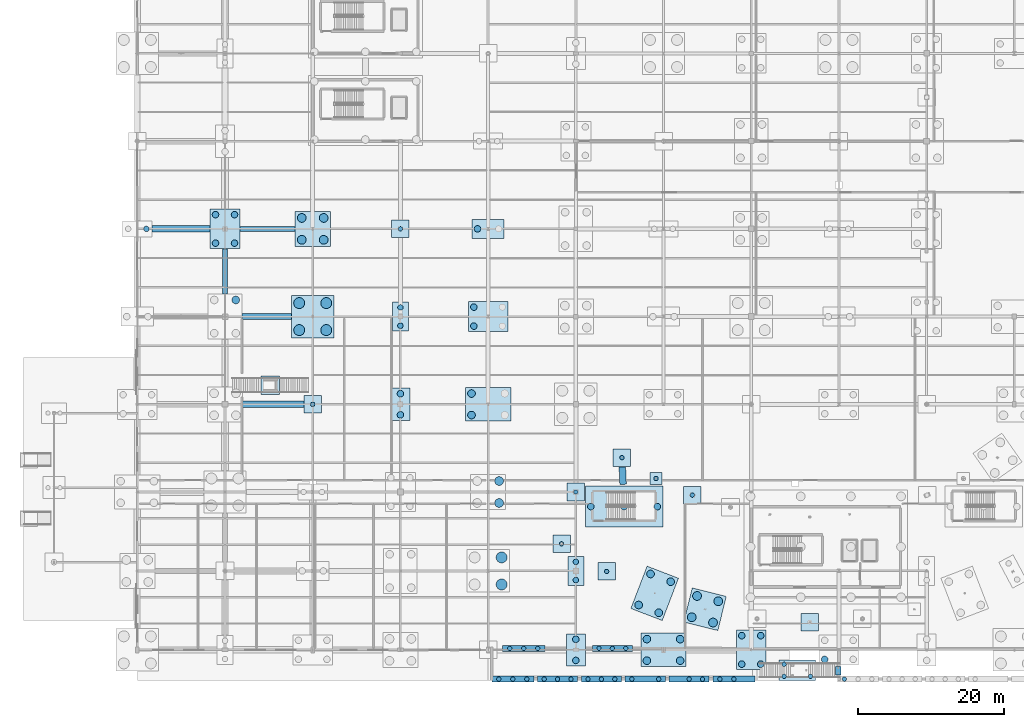
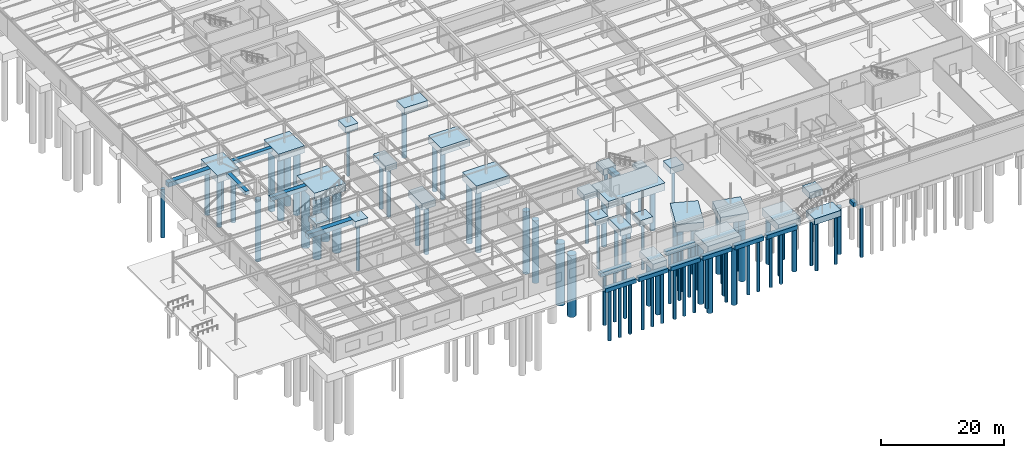
# One storey, part 2 of 136: 84 piles, 41 footings.
"""IFC4 building model written with IfcOpenShell, lengths in metres."""

from ifc_helpers import new_model, si_unit, direction, frame, origin, origin_2d, place, context, subcontext, project, spatial, rectangle, circle, extrude, material, material_profile, profile_set, type_object, element, save


model = new_model("IFC4")

# Units and contexts
model_context = context("Model", 3, precision=1e-05, world=origin(), true_north=direction((0.0, 1.0)))
body_context = subcontext(model_context, "Body", "Model", "MODEL_VIEW")
ifc_project = project(units=[si_unit("LENGTHUNIT", "METRE"), si_unit("AREAUNIT", "SQUARE_METRE"), si_unit("VOLUMEUNIT", "CUBIC_METRE"), si_unit("PLANEANGLEUNIT", "RADIAN"), si_unit("MASSUNIT", "GRAM", prefix="KILO")], contexts=[model_context])

# Site, building, storey
site_placement = place(None, origin())
site = spatial("IfcSite", under=ifc_project, at=site_placement, CompositionType="ELEMENT")
building_placement = place(site_placement, origin())
building = spatial("IfcBuilding", under=site, at=building_placement, Name="Tarnwether General Hospital", CompositionType="ELEMENT")
storey_placement = place(building_placement, frame((0.0, 0.0, -4.800048828125)))
storey = spatial("IfcBuildingStorey", under=building, at=storey_placement, Name="LG", CompositionType="ELEMENT", Elevation=-4.800048828125)

# Footings
ifc_material_1 = material(Name="Concrete 40 MPa", Category="concrete")
footing_type_1 = type_object("IfcFootingType", Name="FT-GB1", PredefinedType="FOOTING_BEAM", material=ifc_material_1)
footing_1_placement = place(storey_placement, frame((17.699951171875, 45.60009765625, -0.7998046875), z_axis=(0.0, 0.0, 1.0), x_axis=(1.0, 0.0, 0.0)))
element("IfcFooting", 1, at=footing_1_placement, inside=storey, type_object=footing_type_1, Name="Ground Footing Beam FT-GB-0034", PredefinedType="FOOTING_BEAM", context=body_context, shape_type="SweptSolid", body=[
    extrude(rectangle(XDim=6.760009765625, YDim=0.800048828125, at=origin_2d()), origin(), (0.0, 0.0, 1.0), 0.800048828125),
])
ifc_material_2 = material(Name="Concrete 40 MPa", Category="concrete")
footing_type_2 = type_object("IfcFootingType", Name="FT-GB2", PredefinedType="FOOTING_BEAM", material=ifc_material_2)
footing_2_placement = place(storey_placement, frame((66.4130859375, 23.840087890625, -0.89990234375), z_axis=(0.0, 0.0, 1.0), x_axis=(-0.044125045501, 0.999026015857, 0.0)))
element("IfcFooting", 2, at=footing_2_placement, inside=storey, type_object=footing_type_2, Name="Ground Footing Beam FT-GB-0002", PredefinedType="FOOTING_BEAM", context=body_context, shape_type="SweptSolid", body=[
    extrude(rectangle(XDim=2.385986328125, YDim=0.89990234375, at=origin_2d()), origin(), (0.0, 0.0, 1.0), 0.89990234375),
])
footing_3_placement = place(storey_placement, frame((5.97509765625, 57.60009765625, -0.89990234375), z_axis=(0.0, 0.0, 1.0), x_axis=(1.0, 0.0, 0.0)))
element("IfcFooting", 3, at=footing_3_placement, inside=storey, type_object=footing_type_2, Name="Ground Footing Beam FT-GB-0014", PredefinedType="FOOTING_BEAM", context=body_context, shape_type="SweptSolid", body=[
    extrude(rectangle(XDim=7.909912109375, YDim=0.89990234375, at=origin_2d()), origin(), (0.0, 0.0, 1.0), 0.89990234375),
])
footing_4_placement = place(storey_placement, frame((18.60009765625, 33.60009765625, -0.89990234375), z_axis=(0.0, 0.0, 1.0), x_axis=(1.0, 0.0, 0.0)))
element("IfcFooting", 4, at=footing_4_placement, inside=storey, type_object=footing_type_2, Name="Ground Footing Beam FT-GB-0032", PredefinedType="FOOTING_BEAM", context=body_context, shape_type="SweptSolid", body=[
    extrude(rectangle(XDim=8.360107421875, YDim=0.89990234375, at=origin_2d()), origin(), (0.0, 0.0, 1.0), 0.89990234375),
])
ifc_material_3 = material(Name="Concrete 40 MPa", Category="concrete")
footing_type_3 = type_object("IfcFootingType", Name="FT-GB3", PredefinedType="FOOTING_BEAM", material=ifc_material_3)
footing_5_placement = place(storey_placement, frame((12.0, 51.800048828125, -0.69970703125), z_axis=(0.0, 0.0, 1.0), x_axis=(0.0, 1.0, 0.0)))
element("IfcFooting", 5, at=footing_5_placement, inside=storey, type_object=footing_type_3, Name="Ground Footing Beam FT-GB-0033", PredefinedType="FOOTING_BEAM", context=body_context, shape_type="SweptSolid", body=[
    extrude(rectangle(XDim=6.159912109375, YDim=0.699951171875, at=origin_2d()), origin(), (0.0, 0.0, 1.0), 0.699951171875),
])
footing_6_placement = place(storey_placement, frame((17.824951171875, 57.60009765625, -0.69970703125), z_axis=(0.0, 0.0, 1.0), x_axis=(1.0, 0.0, 0.0)))
element("IfcFooting", 6, at=footing_6_placement, inside=storey, type_object=footing_type_3, Name="Ground Footing Beam FT-GB-0036", PredefinedType="FOOTING_BEAM", context=body_context, shape_type="SweptSolid", body=[
    extrude(rectangle(XDim=7.510009765625, YDim=0.699951171875, at=origin_2d()), origin(), (0.0, 0.0, 1.0), 0.699951171875),
])
ifc_material_4 = material(Name="Concrete 40 MPa", Category="concrete")
footing_type_4 = type_object("IfcFootingType", Name="FT-PC1", PredefinedType="PILE_CAP", material=ifc_material_4)
for number, where, z_axis, x_axis, name in (
    (7, (24.0, 33.60009765625, -1.19970703125), (0.0, 0.0, 1.0), (1.0, 0.0, 0.0), "Pile Cap FT-CAP-0038"),
    (8, (36.0, 57.60009765625, -1.19970703125), (0.0, 0.0, 1.0), (0.0, 1.0, 0.0), "Pile Cap FT-CAP-0050"),
    (9, (60.0, 21.60009765625, -1.19970703125), (0.0, 0.0, 1.0), (0.0, 1.0, 0.0), "Pile Cap FT-CAP-0069"),
    (10, (58.0439453125, 14.506103515625, -1.19970703125), (0.0, 0.0, 1.0), (1.0, 0.0, 0.0), "Pile Cap FT-CAP-0208"),
    (11, (66.303955078125, 26.302001953125, -1.19970703125), (0.0, 0.0, 1.0), (1.0, 0.0, 0.0), "Pile Cap FT-CAP-0209"),
    (12, (64.20703125, 10.72998046875, -1.19970703125), (0.0, 0.0, 1.0), (1.0, 0.0, 0.0), "Pile Cap FT-CAP-0210"),
    (13, (75.945068359375, 21.176025390625, -1.19970703125), (0.0, 0.0, 1.0), (1.0, 0.0, 0.0), "Pile Cap FT-CAP-0214"),
    (14, (92.0, 3.800048828125, -1.19970703125), (0.0, 0.0, 1.0), (1.0, 0.0, 0.0), "Pile Cap FT-CAP-0218"),
):
    element("IfcFooting", number, at=place(storey_placement, frame(where, z_axis=z_axis, x_axis=x_axis)), inside=storey, type_object=footing_type_4, Name=name, PredefinedType="PILE_CAP", context=body_context, shape_type="SweptSolid", body=[
        extrude(rectangle(XDim=2.39990234375, YDim=2.39990234375, at=origin_2d()), origin(), (0.0, 0.0, 1.0), 1.199951171875),
    ])
ifc_material_5 = material(Name="Concrete 40 MPa", Category="concrete")
footing_type_5 = type_object("IfcFootingType", Name="FT-PC11", PredefinedType="PILE_CAP", material=ifc_material_5)
footing_7_placement = place(storey_placement, frame((90.300048828125, -2.800048828125, -1.19970703125), z_axis=(0.0, 0.0, 1.0), x_axis=(1.0, 0.0, 0.0)))
element("IfcFooting", 15, at=footing_7_placement, inside=storey, type_object=footing_type_5, Name="Combined Scarp Stair Pile Cap SCRP-S", PredefinedType="PILE_CAP", context=body_context, shape_type="SweptSolid", body=[
    extrude(rectangle(XDim=5.0, YDim=2.800048828125, at=origin_2d()), origin(), (0.0, 0.0, 1.0), 1.199951171875),
])
ifc_material_6 = material(Name="Concrete 40 MPa", Category="concrete")
footing_type_6 = type_object("IfcFootingType", Name="FT-PC2", PredefinedType="PILE_CAP", material=ifc_material_6)
for number, where, z_axis, x_axis, name in (
    (16, (36.0, 45.60009765625, -1.19970703125), (0.0, 0.0, 1.0), (0.0, 1.0, 0.0), "Pile Cap FT-CAP-0049"),
    (17, (60.0, 10.800048828125, -1.19970703125), (0.0, 0.0, 1.0), (0.0, 1.0, 0.0), "Pile Cap FT-CAP-0068"),
):
    element("IfcFooting", number, at=place(storey_placement, frame(where, z_axis=z_axis, x_axis=x_axis)), inside=storey, type_object=footing_type_6, Name=name, PredefinedType="PILE_CAP", context=body_context, shape_type="SweptSolid", body=[
        extrude(rectangle(XDim=4.0, YDim=2.199951171875, at=origin_2d()), origin(), (0.0, 0.0, 1.0), 1.199951171875),
    ])
ifc_material_7 = material(Name="Concrete 40 MPa", Category="concrete")
footing_type_7 = type_object("IfcFootingType", Name="FT-PC3", PredefinedType="PILE_CAP", material=ifc_material_7)
for number, where, z_axis, x_axis, name in (
    (18, (36.0, 33.60009765625, -1.2998046875), (0.0, 0.0, 1.0), (0.0, 1.0, 0.0), "Pile Cap FT-CAP-0048"),
    (19, (48.0, 57.60009765625, -1.2998046875), (0.0, 0.0, 1.0), (1.0, 0.0, 0.0), "Pile Cap FT-CAP-0060"),
    (20, (60.0, 0.0, -1.2998046875), (0.0, 0.0, 1.0), (0.0, 1.0, 0.0), "Pile Cap FT-CAP-0067"),
):
    element("IfcFooting", number, at=place(storey_placement, frame(where, z_axis=z_axis, x_axis=x_axis)), inside=storey, type_object=footing_type_7, Name=name, PredefinedType="PILE_CAP", context=body_context, shape_type="SweptSolid", body=[
        extrude(rectangle(XDim=4.39990234375, YDim=2.60009765625, at=origin_2d()), origin(), (0.0, 0.0, 1.0), 1.300048828125),
    ])
ifc_material_8 = material(Name="Concrete 40 MPa", Category="concrete")
footing_type_8 = type_object("IfcFootingType", Name="FT-PC4", PredefinedType="PILE_CAP", material=ifc_material_8)
for number, where, z_axis, x_axis, name in (
    (21, (24.0, 57.60009765625, -1.39990234375), (0.0, 0.0, 1.0), (1.0, 0.0, 0.0), "Pile Cap FT-CAP-0040"),
    (22, (77.677978515625, 5.55810546875, -1.39990234375), (0.0, 0.0, 1.0), (0.2419218956, 0.970295726276, 0.0), "Pile Cap FT-CAP-0215"),
):
    element("IfcFooting", number, at=place(storey_placement, frame(where, z_axis=z_axis, x_axis=x_axis)), inside=storey, type_object=footing_type_8, Name=name, PredefinedType="PILE_CAP", context=body_context, shape_type="SweptSolid", body=[
        extrude(rectangle(XDim=4.800048828125, YDim=4.800048828125, at=origin_2d()), origin(), (0.0, 0.0, 1.0), 1.39990234375),
    ])
ifc_material_9 = material(Name="Concrete 40 MPa", Category="concrete")
footing_type_9 = type_object("IfcFootingType", Name="FT-PC5", PredefinedType="PILE_CAP", material=ifc_material_9)
footing_8_placement = place(storey_placement, frame((24.0, 45.60009765625, -1.5), z_axis=(0.0, 0.0, 1.0), x_axis=(1.0, 0.0, 0.0)))
element("IfcFooting", 23, at=footing_8_placement, inside=storey, type_object=footing_type_9, Name="Pile Cap FT-CAP-0039", PredefinedType="PILE_CAP", context=body_context, shape_type="SweptSolid", body=[
    extrude(rectangle(XDim=5.800048828125, YDim=5.800048828125, at=origin_2d()), origin(), (0.0, 0.0, 1.0), 1.5),
])
ifc_material_10 = material(Name="Concrete 40 MPa", Category="concrete")
footing_type_10 = type_object("IfcFootingType", Name="FT-PC6", PredefinedType="PILE_CAP", material=ifc_material_10)
for number, where, z_axis, x_axis, name in (
    (24, (12.0, 57.60009765625, -1.44970703125), (0.0, 0.0, 1.0), (0.0, 1.0, 0.0), "Pile Cap FT-CAP-0028"),
    (25, (48.0, 45.60009765625, -1.44970703125), (0.0, 0.0, 1.0), (1.0, 0.0, 0.0), "Pile Cap FT-CAP-0059"),
    (26, (84.0, 0.0, -1.44970703125), (0.0, 0.0, 1.0), (0.0, 1.0, 0.0), "Pile Cap FT-CAP-0087"),
):
    element("IfcFooting", number, at=place(storey_placement, frame(where, z_axis=z_axis, x_axis=x_axis)), inside=storey, type_object=footing_type_10, Name=name, PredefinedType="PILE_CAP", context=body_context, shape_type="SweptSolid", body=[
        extrude(rectangle(XDim=5.39990234375, YDim=4.10009765625, at=origin_2d()), origin(), (0.0, 0.0, 1.0), 1.449951171875),
    ])
ifc_material_11 = material(Name="Concrete 40 MPa", Category="concrete")
footing_type_11 = type_object("IfcFootingType", Name="FT-PC7", PredefinedType="PILE_CAP", material=ifc_material_11)
for number, where, z_axis, x_axis, name in (
    (27, (48.0, 33.60009765625, -1.5498046875), (0.0, 0.0, 1.0), (1.0, 0.0, 0.0), "Pile Cap FT-CAP-0058"),
    (28, (72.0, 0.0, -1.5498046875), (0.0, 0.0, 1.0), (1.0, 0.0, 0.0), "Pile Cap FT-CAP-0079"),
    (29, (70.784912109375, 7.73193359375, -1.5498046875), (0.0, 0.0, 1.0), (0.358367949545, 0.933580426497, 0.0), "Pile Cap FT-CAP-0212"),
):
    element("IfcFooting", number, at=place(storey_placement, frame(where, z_axis=z_axis, x_axis=x_axis)), inside=storey, type_object=footing_type_11, Name=name, PredefinedType="PILE_CAP", context=body_context, shape_type="SweptSolid", body=[
        extrude(rectangle(XDim=6.199951171875, YDim=4.60009765625, at=origin_2d()), origin(), (0.0, 0.0, 1.0), 1.550048828125),
    ])
ifc_material_12 = material(Name="Concrete 40 MPa", Category="concrete")
footing_type_12 = type_object("IfcFootingType", Name="FT-PC8", PredefinedType="PILE_CAP", material=ifc_material_12)
footing_9_placement = place(storey_placement, frame((66.60009765625, 19.60009765625, -1.44970703125), z_axis=(0.0, 0.0, 1.0), x_axis=(1.0, 0.0, 0.0)))
element("IfcFooting", 30, at=footing_9_placement, inside=storey, type_object=footing_type_12, Name="Pile Cap FT-CAP-0009", PredefinedType="PILE_CAP", context=body_context, shape_type="SweptSolid", body=[
    extrude(rectangle(XDim=10.60009765625, YDim=5.60009765625, at=origin_2d()), origin(), (0.0, 0.0, 1.0), 1.449951171875),
])
ifc_material_13 = material(Name="Concrete 40 MPa", Category="concrete")
footing_type_13 = type_object("IfcFootingType", Name="FT-PF2", PredefinedType="PAD_FOOTING", material=ifc_material_13)
footing_10_placement = place(storey_placement, frame((18.199951171875, 36.199951171875, -0.89990234375), z_axis=(0.0, 0.0, 1.0), x_axis=(1.0, 0.0, 0.0)))
element("IfcFooting", 31, at=footing_10_placement, inside=storey, type_object=footing_type_13, Name="Feature Stair Pad Footing ST-15", PredefinedType="PAD_FOOTING", context=body_context, shape_type="SweptSolid", body=[
    extrude(rectangle(XDim=2.5, YDim=2.5, at=origin_2d()), origin(), (0.0, 0.0, 1.0), 0.89990234375),
])
ifc_material_14 = material(Name="Concrete 40 MPa", Category="concrete")
footing_type_14 = type_object("IfcFootingType", Name="FT-PF5", PredefinedType="PAD_FOOTING", material=ifc_material_14)
footing_11_placement = place(storey_placement, frame((70.968017578125, 23.444091796875, -0.7998046875), z_axis=(0.0, 0.0, 1.0), x_axis=(1.0, 0.0, 0.0)))
element("IfcFooting", 32, at=footing_11_placement, inside=storey, type_object=footing_type_14, Name="Column Bearing Pad FT-PAD-0211", PredefinedType="PAD_FOOTING", context=body_context, shape_type="SweptSolid", body=[
    extrude(rectangle(XDim=1.699951171875, YDim=1.699951171875, at=origin_2d()), origin(), (0.0, 0.0, 1.0), 0.800048828125),
])
ifc_material_15 = material(Name="Concrete 40 MPa", Category="concrete")
footing_type_15 = type_object("IfcFootingType", Name="FT-SF1", PredefinedType="STRIP_FOOTING", material=ifc_material_15)
footing_12_placement = place(storey_placement, frame((52.875, 0.199951171875, -0.7998046875), z_axis=(0.0, 0.0, 1.0), x_axis=(1.0, 0.0, 0.0)))
element("IfcFooting", 33, at=footing_12_placement, inside=storey, type_object=footing_type_15, Name="Retaining Strip Footing FT-SF-0057", PredefinedType="STRIP_FOOTING", context=body_context, shape_type="SweptSolid", body=[
    extrude(rectangle(XDim=5.75, YDim=0.800048828125, at=origin_2d()), origin(), (0.0, 0.0, 1.0), 0.800048828125),
])
footing_13_placement = place(storey_placement, frame((65.0, 0.199951171875, -0.7998046875), z_axis=(0.0, 0.0, 1.0), x_axis=(1.0, 0.0, 0.0)))
element("IfcFooting", 34, at=footing_13_placement, inside=storey, type_object=footing_type_15, Name="Retaining Strip Footing FT-SF-0058", PredefinedType="STRIP_FOOTING", context=body_context, shape_type="SweptSolid", body=[
    extrude(rectangle(XDim=5.5, YDim=0.800048828125, at=origin_2d()), origin(), (0.0, 0.0, 1.0), 0.800048828125),
])
footing_14_placement = place(storey_placement, frame((51.375, -4.0, -0.7998046875), z_axis=(0.0, 0.0, 1.0), x_axis=(1.0, 0.0, 0.0)))
element("IfcFooting", 35, at=footing_14_placement, inside=storey, type_object=footing_type_15, Name="Retaining Strip Footing FT-SF-0120", PredefinedType="STRIP_FOOTING", context=body_context, shape_type="SweptSolid", body=[
    extrude(rectangle(XDim=5.75, YDim=0.800048828125, at=origin_2d()), origin(), (0.0, 0.0, 1.0), 0.800048828125),
])
for number, where, z_axis, x_axis, name in (
    (36, (57.5, -4.0, -0.7998046875), (0.0, 0.0, 1.0), (1.0, 0.0, 0.0), "Retaining Strip Footing FT-SF-0121"),
    (37, (63.5, -4.0, -0.7998046875), (0.0, 0.0, 1.0), (1.0, 0.0, 0.0), "Retaining Strip Footing FT-SF-0122"),
    (38, (69.5, -4.0, -0.7998046875), (0.0, 0.0, 1.0), (1.0, 0.0, 0.0), "Retaining Strip Footing FT-SF-0123"),
    (39, (75.5, -4.0, -0.7998046875), (0.0, 0.0, 1.0), (1.0, 0.0, 0.0), "Retaining Strip Footing FT-SF-0124"),
):
    element("IfcFooting", number, at=place(storey_placement, frame(where, z_axis=z_axis, x_axis=x_axis)), inside=storey, type_object=footing_type_15, Name=name, PredefinedType="STRIP_FOOTING", context=body_context, shape_type="SweptSolid", body=[
        extrude(rectangle(XDim=5.5, YDim=0.800048828125, at=origin_2d()), origin(), (0.0, 0.0, 1.0), 0.800048828125),
    ])
footing_15_placement = place(storey_placement, frame((81.625, -4.0, -0.7998046875), z_axis=(0.0, 0.0, 1.0), x_axis=(1.0, 0.0, 0.0)))
element("IfcFooting", 40, at=footing_15_placement, inside=storey, type_object=footing_type_15, Name="Retaining Strip Footing FT-SF-0125", PredefinedType="STRIP_FOOTING", context=body_context, shape_type="SweptSolid", body=[
    extrude(rectangle(XDim=5.75, YDim=0.800048828125, at=origin_2d()), origin(), (0.0, 0.0, 1.0), 0.800048828125),
])
footing_16_placement = place(storey_placement, frame((95.89990234375, -2.85009765625, -0.7998046875), z_axis=(0.0, 0.0, 1.0), x_axis=(0.0, 1.0, 0.0)))
element("IfcFooting", 41, at=footing_16_placement, inside=storey, type_object=footing_type_15, Name="Step96 Retaining Footing S96S", PredefinedType="STRIP_FOOTING", context=body_context, shape_type="SweptSolid", body=[
    extrude(rectangle(XDim=1.199951171875, YDim=0.800048828125, at=origin_2d()), origin(), (0.0, 0.0, 1.0), 0.800048828125),
])

# Piles
ifc_material_16 = material(Name="Concrete 40 MPa", Category="concrete")
ifc_material_profile_1 = material_profile(ifc_material_16, circle(Radius=0.52490234375, at=origin_2d()), Name="PILE-D1050")
ifc_profile_set_1 = profile_set([ifc_material_profile_1], Name="Concrete 40 MPa")
pile_type_1 = type_object("IfcPileType", Name="PL-1050", PredefinedType="BORED", material=ifc_profile_set_1)
for number, where, z_axis, x_axis, name in (
    (42, (13.47509765625, 47.875, -1.449951171875), (0.0, 0.0, -1.0), (1.0, 0.0, 0.0), "Bored Pile PLG-LG-135_479-0113"),
    (43, (45.72509765625, 32.125, -1.449951171875), (0.0, 0.0, -1.0), (1.0, 0.0, 0.0), "Bored Pile PLG-LG-457_321-0197"),
    (44, (45.72509765625, 35.074951171875, -1.449951171875), (0.0, 0.0, -1.0), (1.0, 0.0, 0.0), "Bored Pile PLG-LG-457_351-0198"),
    (45, (69.72509765625, -1.47509765625, -1.449951171875), (0.0, 0.0, -1.0), (1.0, 0.0, 0.0), "Bored Pile PLG-LG-697_-15-0260"),
    (46, (69.72509765625, 1.47509765625, -1.449951171875), (0.0, 0.0, -1.0), (1.0, 0.0, 0.0), "Bored Pile PLG-LG-697_15-0261"),
    (47, (74.27490234375, -1.47509765625, -1.449951171875), (0.0, 0.0, -1.0), (1.0, 0.0, 0.0), "Bored Pile PLG-LG-743_-15-0262"),
    (48, (74.27490234375, 1.47509765625, -1.449951171875), (0.0, 0.0, -1.0), (1.0, 0.0, 0.0), "Bored Pile PLG-LG-743_15-0263"),
    (49, (71.346923828125, 5.080078125, -1.449951171875), (0.0, 0.0, -1.0), (1.0, 0.0, 0.0), "Bored Pile PLG-LG-713_51-0584"),
    (50, (68.593017578125, 6.136962890625, -1.449951171875), (0.0, 0.0, -1.0), (1.0, 0.0, 0.0), "Bored Pile PLG-LG-686_61-0585"),
    (51, (72.97705078125, 9.326904296875, -1.449951171875), (0.0, 0.0, -1.0), (1.0, 0.0, 0.0), "Bored Pile PLG-LG-730_93-0586"),
    (52, (70.222900390625, 10.384033203125, -1.449951171875), (0.0, 0.0, -1.0), (1.0, 0.0, 0.0), "Bored Pile PLG-LG-702_104-0587"),
):
    element("IfcPile", number, at=place(storey_placement, frame(where, z_axis=z_axis, x_axis=x_axis)), inside=storey, type_object=pile_type_1, Name=name, PredefinedType="BORED", context=body_context, shape_type="SweptSolid", body=[
        extrude(circle(Radius=0.52490234375, at=origin_2d()), origin(), (0.0, 0.0, 1.0), 12.25),
    ])
ifc_material_17 = material(Name="Concrete 40 MPa", Category="concrete")
ifc_material_profile_2 = material_profile(ifc_material_17, circle(Radius=0.60009765625, at=origin_2d()), Name="PILE-D1200")
ifc_profile_set_2 = profile_set([ifc_material_profile_2], Name="Concrete 40 MPa")
pile_type_2 = type_object("IfcPileType", Name="PL-1200", PredefinedType="BORED", material=ifc_profile_set_2)
for number, where, z_axis, x_axis, name in (
    (53, (22.5, 56.10009765625, -1.300048828125), (0.0, 0.0, -1.0), (1.0, 0.0, 0.0), "Bored Pile PLG-LG-225_561-0149"),
    (54, (22.5, 59.10009765625, -1.300048828125), (0.0, 0.0, -1.0), (1.0, 0.0, 0.0), "Bored Pile PLG-LG-225_591-0150"),
    (55, (25.5, 56.10009765625, -1.300048828125), (0.0, 0.0, -1.0), (1.0, 0.0, 0.0), "Bored Pile PLG-LG-255_561-0151"),
    (56, (25.5, 59.10009765625, -1.300048828125), (0.0, 0.0, -1.0), (1.0, 0.0, 0.0), "Bored Pile PLG-LG-255_591-0152"),
    (57, (49.5, 20.10009765625, -1.300048828125), (0.0, 0.0, -1.0), (1.0, 0.0, 0.0), "Bored Pile PLG-LG-495_201-0195"),
    (58, (49.5, 23.10009765625, -1.300048828125), (0.0, 0.0, -1.0), (1.0, 0.0, 0.0), "Bored Pile PLG-LG-495_231-0196"),
    (59, (78.77099609375, 3.739990234375, -1.300048828125), (0.0, 0.0, -1.0), (1.0, 0.0, 0.0), "Bored Pile PLG-LG-788_37-0589"),
    (60, (75.860107421875, 4.465087890625, -1.300048828125), (0.0, 0.0, -1.0), (1.0, 0.0, 0.0), "Bored Pile PLG-LG-759_45-0590"),
    (61, (79.49609375, 6.65087890625, -1.300048828125), (0.0, 0.0, -1.0), (1.0, 0.0, 0.0), "Bored Pile PLG-LG-795_67-0591"),
    (62, (76.5849609375, 7.3759765625, -1.300048828125), (0.0, 0.0, -1.0), (1.0, 0.0, 0.0), "Bored Pile PLG-LG-766_74-0592"),
):
    element("IfcPile", number, at=place(storey_placement, frame(where, z_axis=z_axis, x_axis=x_axis)), inside=storey, type_object=pile_type_2, Name=name, PredefinedType="BORED", context=body_context, shape_type="SweptSolid", body=[
        extrude(circle(Radius=0.60009765625, at=origin_2d()), origin(), (0.0, 0.0, 1.0), 12.39990234375),
    ])
ifc_material_18 = material(Name="Concrete 40 MPa", Category="concrete")
ifc_material_profile_3 = material_profile(ifc_material_18, circle(Radius=0.75, at=origin_2d()), Name="PILE-D1500")
ifc_profile_set_3 = profile_set([ifc_material_profile_3], Name="Concrete 40 MPa")
pile_type_3 = type_object("IfcPileType", Name="PL-1500", PredefinedType="BORED", material=ifc_profile_set_3)
for number, where, z_axis, x_axis, name in (
    (63, (22.14990234375, 43.75, -1.39990234375), (0.0, 0.0, -1.0), (1.0, 0.0, 0.0), "Bored Pile PLG-LG-222_438-0145"),
    (64, (22.14990234375, 47.449951171875, -1.39990234375), (0.0, 0.0, -1.0), (1.0, 0.0, 0.0), "Bored Pile PLG-LG-222_474-0146"),
    (65, (25.85009765625, 43.75, -1.39990234375), (0.0, 0.0, -1.0), (1.0, 0.0, 0.0), "Bored Pile PLG-LG-258_438-0147"),
    (66, (25.85009765625, 47.449951171875, -1.39990234375), (0.0, 0.0, -1.0), (1.0, 0.0, 0.0), "Bored Pile PLG-LG-258_474-0148"),
    (67, (49.85009765625, 8.949951171875, -1.39990234375), (0.0, 0.0, -1.0), (1.0, 0.0, 0.0), "Bored Pile PLG-LG-498_90-0191"),
    (68, (49.85009765625, 12.64990234375, -1.39990234375), (0.0, 0.0, -1.0), (1.0, 0.0, 0.0), "Bored Pile PLG-LG-498_126-0192"),
):
    element("IfcPile", number, at=place(storey_placement, frame(where, z_axis=z_axis, x_axis=x_axis)), inside=storey, type_object=pile_type_3, Name=name, PredefinedType="BORED", context=body_context, shape_type="SweptSolid", body=[
        extrude(circle(Radius=0.75, at=origin_2d()), origin(), (0.0, 0.0, 1.0), 12.300048828125),
    ])
ifc_material_19 = material(Name="Concrete 40 MPa", Category="concrete")
ifc_material_profile_4 = material_profile(ifc_material_19, circle(Radius=0.300048828125, at=origin_2d()), Name="PILE-D600")
ifc_profile_set_4 = profile_set([ifc_material_profile_4], Name="Concrete 40 MPa")
pile_type_4 = type_object("IfcPileType", Name="PL-600", PredefinedType="BORED", material=ifc_profile_set_4)
for number, where, z_axis, x_axis, name in (
    (69, (24.0, 33.60009765625, -1.099853515625), (0.0, 0.0, -1.0), (1.0, 0.0, 0.0), "Bored Pile PLG-LG-240_336-0144"),
    (70, (36.0, 57.60009765625, -1.099853515625), (0.0, 0.0, -1.0), (1.0, 0.0, 0.0), "Bored Pile PLG-LG-360_576-0178"),
    (71, (60.0, 21.60009765625, -1.099853515625), (0.0, 0.0, -1.0), (1.0, 0.0, 0.0), "Bored Pile PLG-LG-600_216-0230"),
    (72, (58.0439453125, 14.506103515625, -1.099853515625), (0.0, 0.0, -1.0), (1.0, 0.0, 0.0), "Bored Pile PLG-LG-580_145-0580"),
    (73, (66.303955078125, 26.302001953125, -1.099853515625), (0.0, 0.0, -1.0), (1.0, 0.0, 0.0), "Bored Pile PLG-LG-663_263-0581"),
    (74, (64.20703125, 10.72998046875, -1.099853515625), (0.0, 0.0, -1.0), (1.0, 0.0, 0.0), "Bored Pile PLG-LG-642_107-0582"),
):
    element("IfcPile", number, at=place(storey_placement, frame(where, z_axis=z_axis, x_axis=x_axis)), inside=storey, type_object=pile_type_4, Name=name, PredefinedType="BORED", context=body_context, shape_type="SweptSolid", body=[
        extrude(circle(Radius=0.300048828125, at=origin_2d()), origin(), (0.0, 0.0, 1.0), 9.60009765625),
    ])
pile_placement = place(storey_placement, frame((70.968017578125, 23.444091796875, -0.699951171875), z_axis=(0.0, 0.0, -1.0), x_axis=(1.0, 0.0, 0.0)))
element("IfcPile", 75, at=pile_placement, inside=storey, type_object=pile_type_4, Name="Bored Pile PLG-LG-710_234-0583", PredefinedType="BORED", context=body_context, shape_type="SweptSolid", body=[
    extrude(circle(Radius=0.300048828125, at=origin_2d()), origin(), (0.0, 0.0, 1.0), 10.0),
])
for number, where, z_axis, x_axis, name in (
    (76, (75.945068359375, 21.176025390625, -1.099853515625), (0.0, 0.0, -1.0), (1.0, 0.0, 0.0), "Bored Pile PLG-LG-759_212-0588"),
    (77, (88.5, -3.6201171875, -1.099853515625), (0.0, 0.0, -1.0), (1.0, 0.0, 0.0), "Bored Pile 0655"),
    (78, (88.5, -1.97998046875, -1.099853515625), (0.0, 0.0, -1.0), (1.0, 0.0, 0.0), "Bored Pile 0656"),
    (79, (92.10009765625, -3.6201171875, -1.099853515625), (0.0, 0.0, -1.0), (1.0, 0.0, 0.0), "Bored Pile 0657"),
):
    element("IfcPile", number, at=place(storey_placement, frame(where, z_axis=z_axis, x_axis=x_axis)), inside=storey, type_object=pile_type_4, Name=name, PredefinedType="BORED", context=body_context, shape_type="SweptSolid", body=[
        extrude(circle(Radius=0.300048828125, at=origin_2d()), origin(), (0.0, 0.0, 1.0), 9.60009765625),
    ])
for number, where, z_axis, x_axis, name in (
    (80, (50.9580078125, 0.199951171875, -0.699951171875), (0.0, 0.0, -1.0), (1.0, 0.0, 0.0), "Bored Pile PLG-LG-510_2-0683"),
    (81, (52.875, 0.199951171875, -0.699951171875), (0.0, 0.0, -1.0), (1.0, 0.0, 0.0), "Bored Pile PLG-LG-529_2-0684"),
    (82, (54.7919921875, 0.199951171875, -0.699951171875), (0.0, 0.0, -1.0), (1.0, 0.0, 0.0), "Bored Pile PLG-LG-548_2-0685"),
    (83, (63.1669921875, 0.199951171875, -0.699951171875), (0.0, 0.0, -1.0), (1.0, 0.0, 0.0), "Bored Pile PLG-LG-632_2-0686"),
    (84, (65.0, 0.199951171875, -0.699951171875), (0.0, 0.0, -1.0), (1.0, 0.0, 0.0), "Bored Pile PLG-LG-650_2-0687"),
    (85, (66.8330078125, 0.199951171875, -0.699951171875), (0.0, 0.0, -1.0), (1.0, 0.0, 0.0), "Bored Pile PLG-LG-668_2-0688"),
    (86, (96.740966796875, -4.0, -0.699951171875), (0.0, 0.0, -1.0), (1.0, 0.0, 0.0), "Bored Pile PLG-LG-967_-40-0776"),
    (87, (49.4580078125, -4.0, -0.699951171875), (0.0, 0.0, -1.0), (1.0, 0.0, 0.0), "Bored Pile PLG-LG-495_-40-0829"),
    (88, (51.375, -4.0, -0.699951171875), (0.0, 0.0, -1.0), (1.0, 0.0, 0.0), "Bored Pile PLG-LG-514_-40-0830"),
    (89, (53.2919921875, -4.0, -0.699951171875), (0.0, 0.0, -1.0), (1.0, 0.0, 0.0), "Bored Pile PLG-LG-533_-40-0831"),
    (90, (55.6669921875, -4.0, -0.699951171875), (0.0, 0.0, -1.0), (1.0, 0.0, 0.0), "Bored Pile PLG-LG-557_-40-0832"),
    (91, (57.5, -4.0, -0.699951171875), (0.0, 0.0, -1.0), (1.0, 0.0, 0.0), "Bored Pile PLG-LG-575_-40-0833"),
    (92, (59.3330078125, -4.0, -0.699951171875), (0.0, 0.0, -1.0), (1.0, 0.0, 0.0), "Bored Pile PLG-LG-593_-40-0834"),
    (93, (61.6669921875, -4.0, -0.699951171875), (0.0, 0.0, -1.0), (1.0, 0.0, 0.0), "Bored Pile PLG-LG-617_-40-0835"),
    (94, (63.5, -4.0, -0.699951171875), (0.0, 0.0, -1.0), (1.0, 0.0, 0.0), "Bored Pile PLG-LG-635_-40-0836"),
    (95, (65.3330078125, -4.0, -0.699951171875), (0.0, 0.0, -1.0), (1.0, 0.0, 0.0), "Bored Pile PLG-LG-653_-40-0837"),
    (96, (67.6669921875, -4.0, -0.699951171875), (0.0, 0.0, -1.0), (1.0, 0.0, 0.0), "Bored Pile PLG-LG-677_-40-0838"),
    (97, (71.3330078125, -4.0, -0.699951171875), (0.0, 0.0, -1.0), (1.0, 0.0, 0.0), "Bored Pile PLG-LG-713_-40-0839"),
    (98, (75.5, -4.0, -0.699951171875), (0.0, 0.0, -1.0), (1.0, 0.0, 0.0), "Bored Pile PLG-LG-755_-40-0840"),
    (99, (77.3330078125, -4.0, -0.699951171875), (0.0, 0.0, -1.0), (1.0, 0.0, 0.0), "Bored Pile PLG-LG-773_-40-0841"),
    (100, (79.7080078125, -4.0, -0.699951171875), (0.0, 0.0, -1.0), (1.0, 0.0, 0.0), "Bored Pile PLG-LG-797_-40-0842"),
    (101, (81.625, -4.0, -0.699951171875), (0.0, 0.0, -1.0), (1.0, 0.0, 0.0), "Bored Pile PLG-LG-816_-40-0843"),
):
    element("IfcPile", number, at=place(storey_placement, frame(where, z_axis=z_axis, x_axis=x_axis)), inside=storey, type_object=pile_type_4, Name=name, PredefinedType="BORED", context=body_context, shape_type="SweptSolid", body=[
        extrude(circle(Radius=0.300048828125, at=origin_2d()), origin(), (0.0, 0.0, 1.0), 10.0),
    ])
ifc_material_20 = material(Name="Concrete 40 MPa", Category="concrete")
ifc_material_profile_5 = material_profile(ifc_material_20, circle(Radius=0.375, at=origin_2d()), Name="PILE-D750")
ifc_profile_set_5 = profile_set([ifc_material_profile_5], Name="Concrete 40 MPa")
pile_type_5 = type_object("IfcPileType", Name="PL-750", PredefinedType="BORED", material=ifc_profile_set_5)
for number, where, z_axis, x_axis, name in (
    (102, (1.25, 57.60009765625, -1.099853515625), (0.0, 0.0, -1.0), (1.0, 0.0, 0.0), "Bored Pile PLG-LG-12_576-0080"),
    (103, (36.0, 44.35009765625, -1.099853515625), (0.0, 0.0, -1.0), (1.0, 0.0, 0.0), "Bored Pile PLG-LG-360_444-0176"),
    (104, (36.0, 46.85009765625, -1.099853515625), (0.0, 0.0, -1.0), (1.0, 0.0, 0.0), "Bored Pile PLG-LG-360_468-0177"),
    (105, (60.0, 9.550048828125, -1.099853515625), (0.0, 0.0, -1.0), (1.0, 0.0, 0.0), "Bored Pile PLG-LG-600_96-0228"),
    (106, (60.0, 12.050048828125, -1.099853515625), (0.0, 0.0, -1.0), (1.0, 0.0, 0.0), "Bored Pile PLG-LG-600_120-0229"),
):
    element("IfcPile", number, at=place(storey_placement, frame(where, z_axis=z_axis, x_axis=x_axis)), inside=storey, type_object=pile_type_5, Name=name, PredefinedType="BORED", context=body_context, shape_type="SweptSolid", body=[
        extrude(circle(Radius=0.375, at=origin_2d()), origin(), (0.0, 0.0, 1.0), 9.60009765625),
    ])
ifc_material_21 = material(Name="Concrete 40 MPa", Category="concrete")
ifc_material_profile_6 = material_profile(ifc_material_21, circle(Radius=0.449951171875, at=origin_2d()), Name="PILE-D900")
ifc_profile_set_6 = profile_set([ifc_material_profile_6], Name="Concrete 40 MPa")
pile_type_6 = type_object("IfcPileType", Name="PL-900", PredefinedType="BORED", material=ifc_profile_set_6)
for number, where, z_axis, x_axis, name in (
    (107, (62.050048828125, 19.60009765625, -1.349853515625), (0.0, 0.0, -1.0), (1.0, 0.0, 0.0), "Bored Pile PLG-LG-620_196-0055"),
    (108, (66.60009765625, 19.60009765625, -1.349853515625), (0.0, 0.0, -1.0), (1.0, 0.0, 0.0), "Bored Pile PLG-LG-666_196-0056"),
    (109, (71.14990234375, 19.60009765625, -1.349853515625), (0.0, 0.0, -1.0), (1.0, 0.0, 0.0), "Bored Pile PLG-LG-712_196-0057"),
    (110, (13.300048828125, 55.64990234375, -1.349853515625), (0.0, 0.0, -1.0), (1.0, 0.0, 0.0), "Bored Pile PLG-LG-133_556-0115"),
    (111, (10.699951171875, 55.64990234375, -1.349853515625), (0.0, 0.0, -1.0), (1.0, 0.0, 0.0), "Bored Pile PLG-LG-107_556-0116"),
    (112, (13.300048828125, 59.550048828125, -1.349853515625), (0.0, 0.0, -1.0), (1.0, 0.0, 0.0), "Bored Pile PLG-LG-133_596-0117"),
    (113, (10.699951171875, 59.550048828125, -1.349853515625), (0.0, 0.0, -1.0), (1.0, 0.0, 0.0), "Bored Pile PLG-LG-107_596-0118"),
):
    element("IfcPile", number, at=place(storey_placement, frame(where, z_axis=z_axis, x_axis=x_axis)), inside=storey, type_object=pile_type_6, Name=name, PredefinedType="BORED", context=body_context, shape_type="SweptSolid", body=[
        extrude(circle(Radius=0.449951171875, at=origin_2d()), origin(), (0.0, 0.0, 1.0), 9.35009765625),
    ])
for number, where, z_axis, x_axis, name in (
    (114, (36.0, 32.14990234375, -1.199951171875), (0.0, 0.0, -1.0), (1.0, 0.0, 0.0), "Bored Pile PLG-LG-360_322-0174"),
    (115, (36.0, 35.050048828125, -1.199951171875), (0.0, 0.0, -1.0), (1.0, 0.0, 0.0), "Bored Pile PLG-LG-360_350-0175"),
):
    element("IfcPile", number, at=place(storey_placement, frame(where, z_axis=z_axis, x_axis=x_axis)), inside=storey, type_object=pile_type_6, Name=name, PredefinedType="BORED", context=body_context, shape_type="SweptSolid", body=[
        extrude(circle(Radius=0.449951171875, at=origin_2d()), origin(), (0.0, 0.0, 1.0), 9.5),
    ])
for number, where, z_axis, x_axis, name in (
    (116, (46.050048828125, 44.300048828125, -1.349853515625), (0.0, 0.0, -1.0), (1.0, 0.0, 0.0), "Bored Pile PLG-LG-460_443-0201"),
    (117, (46.050048828125, 46.89990234375, -1.349853515625), (0.0, 0.0, -1.0), (1.0, 0.0, 0.0), "Bored Pile PLG-LG-460_469-0202"),
):
    element("IfcPile", number, at=place(storey_placement, frame(where, z_axis=z_axis, x_axis=x_axis)), inside=storey, type_object=pile_type_6, Name=name, PredefinedType="BORED", context=body_context, shape_type="SweptSolid", body=[
        extrude(circle(Radius=0.449951171875, at=origin_2d()), origin(), (0.0, 0.0, 1.0), 9.35009765625),
    ])
for number, where, z_axis, x_axis, name in (
    (118, (46.550048828125, 57.60009765625, -1.199951171875), (0.0, 0.0, -1.0), (1.0, 0.0, 0.0), "Bored Pile PLG-LG-466_576-0205"),
    (119, (60.0, -1.449951171875, -1.199951171875), (0.0, 0.0, -1.0), (1.0, 0.0, 0.0), "Bored Pile PLG-LG-600_-14-0226"),
    (120, (60.0, 1.449951171875, -1.199951171875), (0.0, 0.0, -1.0), (1.0, 0.0, 0.0), "Bored Pile PLG-LG-600_14-0227"),
):
    element("IfcPile", number, at=place(storey_placement, frame(where, z_axis=z_axis, x_axis=x_axis)), inside=storey, type_object=pile_type_6, Name=name, PredefinedType="BORED", context=body_context, shape_type="SweptSolid", body=[
        extrude(circle(Radius=0.449951171875, at=origin_2d()), origin(), (0.0, 0.0, 1.0), 9.5),
    ])
for number, where, z_axis, x_axis, name in (
    (121, (85.300048828125, -1.949951171875, -1.349853515625), (0.0, 0.0, -1.0), (1.0, 0.0, 0.0), "Bored Pile PLG-LG-853_-20-0285"),
    (122, (82.699951171875, -1.949951171875, -1.349853515625), (0.0, 0.0, -1.0), (1.0, 0.0, 0.0), "Bored Pile PLG-LG-827_-20-0286"),
    (123, (85.300048828125, 1.949951171875, -1.349853515625), (0.0, 0.0, -1.0), (1.0, 0.0, 0.0), "Bored Pile PLG-LG-853_20-0287"),
    (124, (82.699951171875, 1.949951171875, -1.349853515625), (0.0, 0.0, -1.0), (1.0, 0.0, 0.0), "Bored Pile PLG-LG-827_20-0288"),
    (125, (94.050048828125, -1.300048828125, -1.349853515625), (0.0, 0.0, -1.0), (1.0, 0.0, 0.0), "Bored Pile PLG-LG-940_-13-0312"),
):
    element("IfcPile", number, at=place(storey_placement, frame(where, z_axis=z_axis, x_axis=x_axis)), inside=storey, type_object=pile_type_6, Name=name, PredefinedType="BORED", context=body_context, shape_type="SweptSolid", body=[
        extrude(circle(Radius=0.449951171875, at=origin_2d()), origin(), (0.0, 0.0, 1.0), 9.35009765625),
    ])

save(model, "model.ifc")
